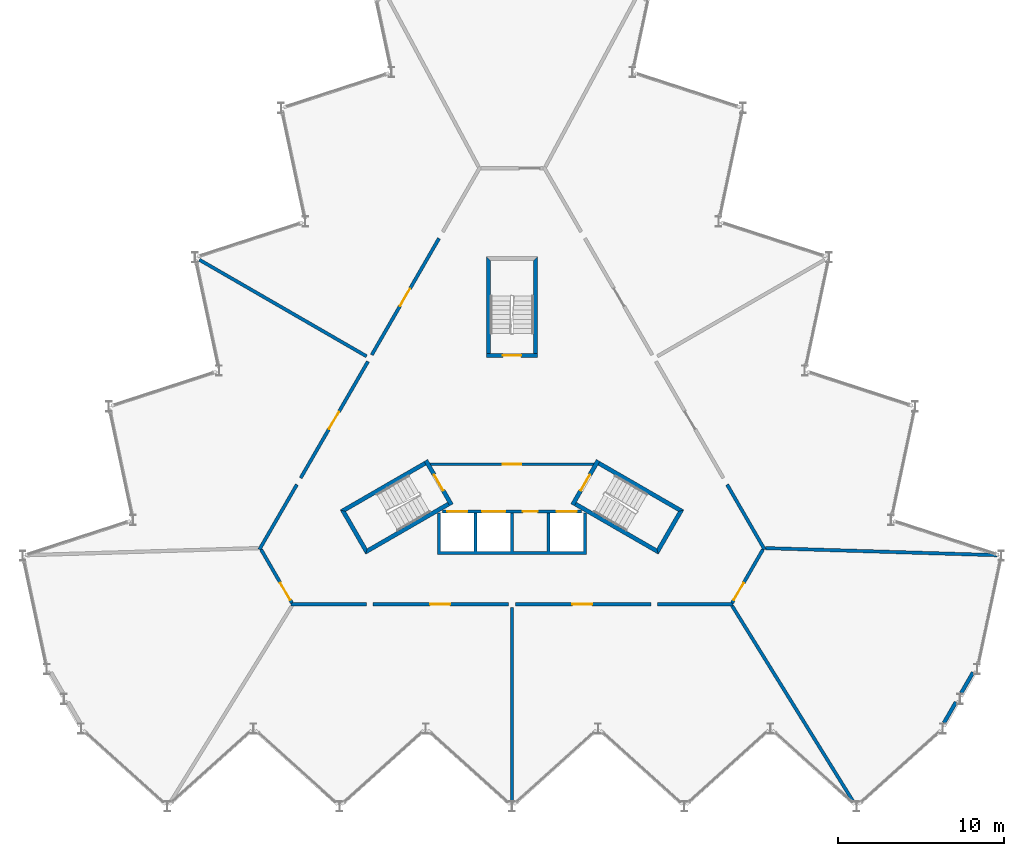
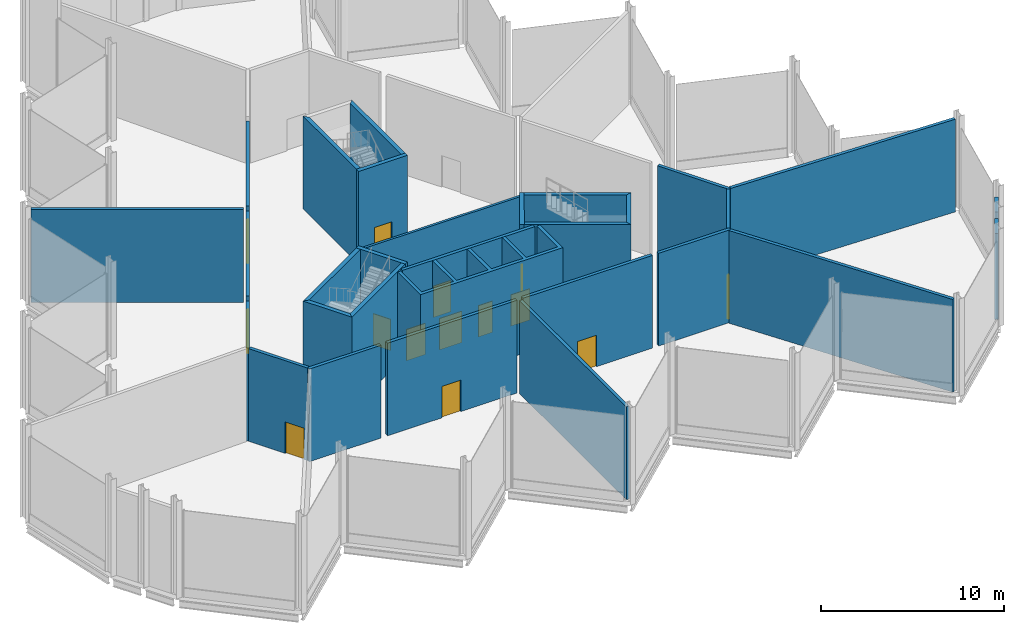
# One storey, part 10 of 12: 30 walls, 14 doors, 14 openings.
"""IFC4 building model written with IfcOpenShell, lengths in metres."""

from ifc_helpers import new_model, si_unit, direction, frame, frame_2d, origin, place, context, subcontext, project, spatial, polyline, rectangle, outline, extrude, material, layer, layer_set, type_object, element, fill, save


model = new_model("IFC4")

# Units and contexts
model_context = context("Model", 3, precision=1e-05, world=origin(), true_north=direction((0.0, 1.0)))
body_context = subcontext(model_context, "Body", "Model", "MODEL_VIEW")
ifc_project = project(units=[si_unit("LENGTHUNIT", "METRE"), si_unit("AREAUNIT", "SQUARE_METRE"), si_unit("VOLUMEUNIT", "CUBIC_METRE"), si_unit("PLANEANGLEUNIT", "RADIAN"), si_unit("MASSUNIT", "GRAM", prefix="KILO")], contexts=[model_context])

# Site, building, storey
site_placement = place(None, origin())
site = spatial("IfcSite", under=ifc_project, at=site_placement, CompositionType="ELEMENT")
building_placement = place(site_placement, origin())
building = spatial("IfcBuilding", under=site, at=building_placement, Name="Cormorant Prow Tower", CompositionType="ELEMENT")
storey_placement = place(building_placement, frame((0.0, 0.0, 428.199951171875)))
storey = spatial("IfcBuildingStorey", under=building, at=storey_placement, Name="L96", CompositionType="ELEMENT", Elevation=428.199951171875)

# Wall, opening, door
ifc_material_1 = material(Name="Gypsum board partition")
ifc_layer_1 = layer(ifc_material_1, 0.14990234375)
ifc_layer_set_1 = layer_set([ifc_layer_1], Name="Gypsum board partition")
wall_type_1 = type_object("IfcWallType", Name="Core partition 150", PredefinedType="PARTITIONING", material=ifc_layer_set_1)
wall_1_placement = place(storey_placement, frame((-4.941162109375, -1.449951171875, 0.0), z_axis=(0.0, 0.0, 1.0), x_axis=(1.0, 0.0, 0.0)))
wall_1 = element("IfcWall", 1, at=wall_1_placement, inside=storey, type_object=wall_type_1, Name="Firefighting lobby partition", PredefinedType="PARTITIONING", context=body_context, shape_type="SweptSolid", body=[
    extrude(rectangle(XDim=9.88232421875, YDim=0.14990234375, at=frame_2d((4.941162109375, 0.0))), origin(), (0.0, 0.0, 1.0), 6.199951171875),
])
opening_1_placement = place(wall_1_placement, frame((4.39111328125, 0.0, 0.0)))
opening_1 = element("IfcOpeningElement", 2, at=opening_1_placement, cuts=wall_1, Name="Opening L96-C05", PredefinedType="OPENING", context=body_context, shape_type="SweptSolid", body=[
    extrude(rectangle(XDim=1.10009765625, YDim=2.10009765625, at=frame_2d((0.550048828125, 1.050048828125))), frame((0.0, 0.0849609375, 0.0), z_axis=(0.0, -1.0, 0.0), x_axis=(1.0, 0.0, 0.0)), (0.0, 0.0, 1.0), 0.169921875),
])
ifc_material_2 = material(Name="Painted steel", Category="steel")
door_type_1 = type_object("IfcDoorType", Name="Firefighting lobby door 1100x2100", OperationType="NOTDEFINED", PredefinedType="DOOR", material=ifc_material_2)
door_1_placement = place(opening_1_placement, origin())
door_1 = element("IfcDoor", 3, at=door_1_placement, inside=storey, type_object=door_type_1, Name="Firefighting lobby door", OperationType="SINGLE_SWING_LEFT", OverallHeight=2.10009765625, OverallWidth=1.10009765625, PredefinedType="DOOR", context=body_context, shape_type="SweptSolid", body=[
    extrude(rectangle(XDim=1.10009765625, YDim=2.10009765625, at=frame_2d((0.550048828125, 1.050048828125))), frame((0.0, 0.02490234375, 0.0), z_axis=(0.0, -1.0, 0.0), x_axis=(1.0, 0.0, 0.0)), (0.0, 0.0, 1.0), 0.050048828125),
])
fill(opening_1, door_1)

ifc_material_3 = material(Name="Gypsum board corridor wall")
ifc_layer_2 = layer(ifc_material_3, 0.199951171875)
ifc_layer_set_2 = layer_set([ifc_layer_2], Name="Gypsum board corridor wall")
wall_type_2 = type_object("IfcWallType", Name="Corridor wall 200", PredefinedType="PARTITIONING", material=ifc_layer_set_2)
wall_2_placement = place(storey_placement, frame((-8.381591796875, -9.905517578125, 0.0), z_axis=(0.0, 0.0, 1.0), x_axis=(1.0, 0.0, 0.0)))
wall_2 = element("IfcWall", 4, at=wall_2_placement, inside=storey, type_object=wall_type_2, Name="Corridor wall", PredefinedType="PARTITIONING", context=body_context, shape_type="SweptSolid", body=[
    extrude(rectangle(XDim=8.1845703125, YDim=0.199951171875, at=frame_2d((4.09228515625, 0.0))), origin(), (0.0, 0.0, 1.0), 6.199951171875),
])
opening_2_placement = place(wall_2_placement, frame((3.441650390625, 0.0, 0.0)))
opening_2 = element("IfcOpeningElement", 5, at=opening_2_placement, cuts=wall_2, Name="Opening L96-F03", PredefinedType="OPENING", context=body_context, shape_type="SweptSolid", body=[
    extrude(rectangle(XDim=1.199951171875, YDim=2.10009765625, at=frame_2d((0.60009765625, 1.050048828125))), frame((0.0, 0.10986328125, 0.0), z_axis=(0.0, -1.0, 0.0), x_axis=(1.0, 0.0, 0.0)), (0.0, 0.0, 1.0), 0.219970703125),
])
ifc_material_4 = material(Name="Timber door leaf", Category="wood")
door_type_2 = type_object("IfcDoorType", Name="Plant room door 1200x2100", OperationType="NOTDEFINED", PredefinedType="DOOR", material=ifc_material_4)
door_2_placement = place(opening_2_placement, origin())
door_2 = element("IfcDoor", 6, at=door_2_placement, inside=storey, type_object=door_type_2, Name="Water tank room door", OperationType="SINGLE_SWING_RIGHT", OverallHeight=2.10009765625, OverallWidth=1.199951171875, PredefinedType="DOOR", context=body_context, shape_type="SweptSolid", body=[
    extrude(rectangle(XDim=1.199951171875, YDim=2.10009765625, at=frame_2d((0.60009765625, 1.050048828125))), frame((0.0, 0.02490234375, 0.0), z_axis=(0.0, -1.0, 0.0), x_axis=(1.0, 0.0, 0.0)), (0.0, 0.0, 1.0), 0.050048828125),
])
fill(opening_2, door_2)

wall_3_placement = place(storey_placement, frame((0.197021484375, -9.905517578125, 0.0), z_axis=(0.0, 0.0, 1.0), x_axis=(1.0, 0.0, 0.0)))
wall_3 = element("IfcWall", 7, at=wall_3_placement, inside=storey, type_object=wall_type_2, Name="Corridor wall", PredefinedType="PARTITIONING", context=body_context, shape_type="SweptSolid", body=[
    extrude(rectangle(XDim=8.1845703125, YDim=0.199951171875, at=frame_2d((4.09228515625, 0.0))), origin(), (0.0, 0.0, 1.0), 6.199951171875),
])
opening_3_placement = place(wall_3_placement, frame((3.441650390625, 0.0, 0.0)))
opening_3 = element("IfcOpeningElement", 8, at=opening_3_placement, cuts=wall_3, Name="Opening L96-F04", PredefinedType="OPENING", context=body_context, shape_type="SweptSolid", body=[
    extrude(rectangle(XDim=1.199951171875, YDim=2.10009765625, at=frame_2d((0.60009765625, 1.050048828125))), frame((0.0, 0.10986328125, 0.0), z_axis=(0.0, -1.0, 0.0), x_axis=(1.0, 0.0, 0.0)), (0.0, 0.0, 1.0), 0.219970703125),
])
door_3_placement = place(opening_3_placement, origin())
door_3 = element("IfcDoor", 9, at=door_3_placement, inside=storey, type_object=door_type_2, Name="Electrical switch room door", OperationType="SINGLE_SWING_LEFT", OverallHeight=2.10009765625, OverallWidth=1.199951171875, PredefinedType="DOOR", context=body_context, shape_type="SweptSolid", body=[
    extrude(rectangle(XDim=1.199951171875, YDim=2.10009765625, at=frame_2d((0.60009765625, 1.050048828125))), frame((0.0, 0.02490234375, 0.0), z_axis=(0.0, -1.0, 0.0), x_axis=(1.0, 0.0, 0.0)), (0.0, 0.0, 1.0), 0.050048828125),
])
fill(opening_3, door_3)

wall_4_placement = place(storey_placement, frame((-8.464599609375, 5.14990234375, 0.0), z_axis=(0.0, 0.0, 1.0), x_axis=(0.499992155518, 0.866029932751, 0.0)))
wall_4 = element("IfcWall", 10, at=wall_4_placement, inside=storey, type_object=wall_type_2, Name="Corridor wall", PredefinedType="PARTITIONING", context=body_context, shape_type="SweptSolid", body=[
    extrude(rectangle(XDim=8.123291015625, YDim=0.199951171875, at=frame_2d((4.0615234375, 0.0))), origin(), (0.0, 0.0, 1.0), 6.199951171875),
])
opening_4_placement = place(wall_4_placement, frame((3.41162109375, 0.0, 0.0)))
opening_4 = element("IfcOpeningElement", 11, at=opening_4_placement, cuts=wall_4, Name="Opening L96-F07", PredefinedType="OPENING", context=body_context, shape_type="SweptSolid", body=[
    extrude(rectangle(XDim=1.199951171875, YDim=2.10009765625, at=frame_2d((0.60009765625, 1.050048828125))), frame((0.0, 0.10986328125, 0.0), z_axis=(0.0, -1.0, 0.0), x_axis=(1.0, 0.0, 0.0)), (0.0, 0.0, 1.0), 0.219970703125),
])
door_4_placement = place(opening_4_placement, origin())
door_4 = element("IfcDoor", 12, at=door_4_placement, inside=storey, type_object=door_type_2, Name="Lift machine room door", OperationType="SINGLE_SWING_LEFT", OverallHeight=2.10009765625, OverallWidth=1.199951171875, PredefinedType="DOOR", context=body_context, shape_type="SweptSolid", body=[
    extrude(rectangle(XDim=1.199951171875, YDim=2.10009765625, at=frame_2d((0.60009765625, 1.050048828125))), frame((0.0, 0.02490234375, 0.0), z_axis=(0.0, -1.0, 0.0), x_axis=(1.0, 0.0, 0.0)), (0.0, 0.0, 1.0), 0.050048828125),
])
fill(opening_4, door_4)

wall_5_placement = place(storey_placement, frame((-12.75390625, -2.279296875, 0.0), z_axis=(0.0, 0.0, 1.0), x_axis=(0.500001682468, 0.866024432409, 0.0)))
wall_5 = element("IfcWall", 13, at=wall_5_placement, inside=storey, type_object=wall_type_2, Name="Corridor wall", PredefinedType="PARTITIONING", context=body_context, shape_type="SweptSolid", body=[
    extrude(rectangle(XDim=8.12353515625, YDim=0.199951171875, at=frame_2d((4.061767578125, 0.0))), origin(), (0.0, 0.0, 1.0), 6.199951171875),
])
opening_5_placement = place(wall_5_placement, frame((3.41162109375, 0.0, 0.0)))
opening_5 = element("IfcOpeningElement", 14, at=opening_5_placement, cuts=wall_5, Name="Opening L96-F05", PredefinedType="OPENING", context=body_context, shape_type="SweptSolid", body=[
    extrude(rectangle(XDim=1.199951171875, YDim=2.10009765625, at=frame_2d((0.60009765625, 1.050048828125))), frame((0.0, 0.10986328125, 0.0), z_axis=(0.0, -1.0, 0.0), x_axis=(1.0, 0.0, 0.0)), (0.0, 0.0, 1.0), 0.219970703125),
])
door_5_placement = place(opening_5_placement, origin())
door_5 = element("IfcDoor", 15, at=door_5_placement, inside=storey, type_object=door_type_2, Name="Air handling plant room door", OperationType="SINGLE_SWING_LEFT", OverallHeight=2.10009765625, OverallWidth=1.199951171875, PredefinedType="DOOR", context=body_context, shape_type="SweptSolid", body=[
    extrude(rectangle(XDim=1.199951171875, YDim=2.10009765625, at=frame_2d((0.60009765625, 1.050048828125))), frame((0.0, 0.02490234375, 0.0), z_axis=(0.0, -1.0, 0.0), x_axis=(1.0, 0.0, 0.0)), (0.0, 0.0, 1.0), 0.050048828125),
])
fill(opening_5, door_5)

# Walls
for number, where, z_axis, x_axis, name in (
    (16, (-13.330810546875, -9.905517578125, 0.0), (0.0, 0.0, 1.0), (1.0, 0.0, 0.0), "Corridor wall"),
    (17, (8.775390625, -9.905517578125, 0.0), (0.0, 0.0, 1.0), (1.0, 0.0, 0.0), "Corridor wall"),
):
    element("IfcWall", number, at=place(storey_placement, frame(where, z_axis=z_axis, x_axis=x_axis)), inside=storey, type_object=wall_type_2, Name=name, PredefinedType="PARTITIONING", context=body_context, shape_type="SweptSolid", body=[
        extrude(rectangle(XDim=4.555419921875, YDim=0.199951171875, at=frame_2d((2.27783203125, 0.0))), origin(), (0.0, 0.0, 1.0), 6.199951171875),
    ])
for number, where, z_axis, x_axis, name in (
    (18, (-15.243896484375, -6.59228515625, 0.0), (0.0, 0.0, 1.0), (0.499974648164, 0.866040040179, 0.0), "Corridor wall"),
    (19, (12.9814453125, -2.67333984375, 0.0), (0.0, 0.0, 1.0), (0.499974648164, -0.866040040179, 0.0), "Corridor wall"),
):
    element("IfcWall", number, at=place(storey_placement, frame(where, z_axis=z_axis, x_axis=x_axis)), inside=storey, type_object=wall_type_2, Name=name, PredefinedType="PARTITIONING", context=body_context, shape_type="SweptSolid", body=[
        extrude(rectangle(XDim=4.525146484375, YDim=0.199951171875, at=frame_2d((2.2626953125, 0.0))), origin(), (0.0, 0.0, 1.0), 6.199951171875),
    ])

# Wall, opening, door
wall_6_placement = place(storey_placement, frame((-15.143798828125, -6.59228515625, 0.0), z_axis=(0.0, 0.0, 1.0), x_axis=(0.499958791762, -0.866049194065, 0.0)))
wall_6 = element("IfcWall", 20, at=wall_6_placement, inside=storey, type_object=wall_type_2, Name="Corridor wall", PredefinedType="PARTITIONING", context=body_context, shape_type="SweptSolid", body=[
    extrude(rectangle(XDim=3.725830078125, YDim=0.199951171875, at=frame_2d((1.86279296875, 0.0))), origin(), (0.0, 0.0, 1.0), 6.199951171875),
])
opening_6_placement = place(wall_6_placement, frame((2.324951171875, 0.0, 0.0)))
opening_6 = element("IfcOpeningElement", 21, at=opening_6_placement, cuts=wall_6, Name="Opening L96-F01", PredefinedType="OPENING", context=body_context, shape_type="SweptSolid", body=[
    extrude(rectangle(XDim=1.199951171875, YDim=2.10009765625, at=frame_2d((0.60009765625, 1.050048828125))), frame((0.0, 0.10986328125, 0.0), z_axis=(0.0, -1.0, 0.0), x_axis=(1.0, 0.0, 0.0)), (0.0, 0.0, 1.0), 0.219970703125),
])
door_6_placement = place(opening_6_placement, origin())
door_6 = element("IfcDoor", 22, at=door_6_placement, inside=storey, type_object=door_type_2, Name="Damper plant room door", OperationType="SINGLE_SWING_RIGHT", OverallHeight=2.10009765625, OverallWidth=1.199951171875, PredefinedType="DOOR", context=body_context, shape_type="SweptSolid", body=[
    extrude(rectangle(XDim=1.199951171875, YDim=2.10009765625, at=frame_2d((0.60009765625, 1.050048828125))), frame((0.0, 0.02490234375, 0.0), z_axis=(0.0, -1.0, 0.0), x_axis=(1.0, 0.0, 0.0)), (0.0, 0.0, 1.0), 0.050048828125),
])
fill(opening_6, door_6)

wall_7_placement = place(storey_placement, frame((13.281005859375, -9.819091796875, 0.0), z_axis=(0.0, 0.0, 1.0), x_axis=(0.499958791762, 0.866049194065, 0.0)))
wall_7 = element("IfcWall", 23, at=wall_7_placement, inside=storey, type_object=wall_type_2, Name="Corridor wall", PredefinedType="PARTITIONING", context=body_context, shape_type="SweptSolid", body=[
    extrude(rectangle(XDim=3.725830078125, YDim=0.199951171875, at=frame_2d((1.86279296875, 0.0))), origin(), (0.0, 0.0, 1.0), 6.199951171875),
])
opening_7_placement = place(wall_7_placement, frame((0.201171875, 0.0, 0.0)))
opening_7 = element("IfcOpeningElement", 24, at=opening_7_placement, cuts=wall_7, Name="Opening L96-F02", PredefinedType="OPENING", context=body_context, shape_type="SweptSolid", body=[
    extrude(rectangle(XDim=1.199951171875, YDim=2.10009765625, at=frame_2d((0.60009765625, 1.050048828125))), frame((0.0, 0.10986328125, 0.0), z_axis=(0.0, -1.0, 0.0), x_axis=(1.0, 0.0, 0.0)), (0.0, 0.0, 1.0), 0.219970703125),
])
door_7_placement = place(opening_7_placement, origin())
door_7 = element("IfcDoor", 25, at=door_7_placement, inside=storey, type_object=door_type_2, Name="Lift machine room door", OperationType="SINGLE_SWING_LEFT", OverallHeight=2.10009765625, OverallWidth=1.199951171875, PredefinedType="DOOR", context=body_context, shape_type="SweptSolid", body=[
    extrude(rectangle(XDim=1.199951171875, YDim=2.10009765625, at=frame_2d((0.60009765625, 1.050048828125))), frame((0.0, 0.02490234375, 0.0), z_axis=(0.0, -1.0, 0.0), x_axis=(1.0, 0.0, 0.0)), (0.0, 0.0, 1.0), 0.050048828125),
])
fill(opening_7, door_7)

# Walls
ifc_material_5 = material(Name="Gypsum board demising wall")
ifc_layer_3 = layer(ifc_material_5, 0.199951171875)
ifc_layer_set_3 = layer_set([ifc_layer_3], Name="Gypsum board demising wall")
wall_type_3 = type_object("IfcWallType", Name="Demising wall 200", PredefinedType="PARTITIONING", material=ifc_layer_set_3)
wall_8_placement = place(storey_placement, frame((15.293701171875, -6.508544921875, 0.0), z_axis=(0.0, 0.0, 1.0), x_axis=(0.999534583604, -0.030506002359, 0.0)))
element("IfcWall", 26, at=wall_8_placement, inside=storey, type_object=wall_type_3, Name="Demising wall", PredefinedType="PARTITIONING", context=body_context, shape_type="SweptSolid", body=[
    extrude(rectangle(XDim=13.973388671875, YDim=0.199951171875, at=frame_2d((6.98681640625, 0.0))), origin(), (0.0, 0.0, 1.0), 6.199951171875),
])
wall_9_placement = place(storey_placement, frame((13.283447265625, -9.990478515625, 0.0), z_axis=(0.0, 0.0, 1.0), x_axis=(0.526187960676, -0.850368290825, 0.0)))
element("IfcWall", 27, at=wall_9_placement, inside=storey, type_object=wall_type_3, Name="Demising wall", PredefinedType="PARTITIONING", context=body_context, shape_type="SweptSolid", body=[
    extrude(rectangle(XDim=13.92041015625, YDim=0.199951171875, at=frame_2d((6.960205078125, 0.0))), origin(), (0.0, 0.0, 1.0), 6.199951171875),
])
wall_10_placement = place(storey_placement, frame((0.0, -21.827880859375, 0.0), z_axis=(0.0, 0.0, 1.0), x_axis=(0.0, 1.0, 0.0)))
element("IfcWall", 28, at=wall_10_placement, inside=storey, type_object=wall_type_3, Name="Demising wall", PredefinedType="PARTITIONING", context=body_context, shape_type="SweptSolid", body=[
    extrude(rectangle(XDim=11.725341796875, YDim=0.199951171875, at=frame_2d((5.86279296875, 0.0))), origin(), (0.0, 0.0, 1.0), 6.199951171875),
])
wall_11_placement = place(storey_placement, frame((-18.86865234375, 10.893798828125, 0.0), z_axis=(0.0, 0.0, 1.0), x_axis=(0.866023724155, -0.500002909193, 0.0)))
element("IfcWall", 29, at=wall_11_placement, inside=storey, type_object=wall_type_3, Name="Demising wall", PredefinedType="PARTITIONING", context=body_context, shape_type="SweptSolid", body=[
    extrude(rectangle(XDim=11.65478515625, YDim=0.199951171875, at=frame_2d((5.827392578125, 0.0))), origin(), (0.0, 0.0, 1.0), 6.199951171875),
])

# Wall, openings, doors
ifc_material_6 = material(Name="Concrete 5000 psi", Category="concrete")
ifc_layer_4 = layer(ifc_material_6, 0.199951171875)
ifc_layer_set_4 = layer_set([ifc_layer_4], Name="Concrete 5000 psi")
wall_type_4 = type_object("IfcWallType", Name="Lift lobby wall 200", PredefinedType="SOLIDWALL", material=ifc_layer_set_4)
wall_12_placement = place(storey_placement, frame((-4.1865234375, -4.300048828125, 0.0), z_axis=(0.0, 0.0, 1.0), x_axis=(1.0, 0.0, 0.0)))
wall_12 = element("IfcWall", 30, at=wall_12_placement, inside=storey, type_object=wall_type_4, Name="Lift lobby wall, S block", PredefinedType="SOLIDWALL", context=body_context, shape_type="SweptSolid", body=[
    extrude(rectangle(XDim=8.373046875, YDim=0.199951171875, at=frame_2d((4.1865234375, 0.0))), origin(), (0.0, 0.0, 1.0), 6.199951171875),
])
opening_8_placement = place(wall_12_placement, frame((0.28662109375, 0.0, 0.0)))
opening_8 = element("IfcOpeningElement", 31, at=opening_8_placement, cuts=wall_12, Name="Opening L96-C01", PredefinedType="OPENING", context=body_context, shape_type="SweptSolid", body=[
    extrude(rectangle(XDim=1.199951171875, YDim=2.10009765625, at=frame_2d((0.60009765625, 1.050048828125))), frame((0.0, 0.10986328125, 0.0), z_axis=(0.0, -1.0, 0.0), x_axis=(1.0, 0.0, 0.0)), (0.0, 0.0, 1.0), 0.219970703125),
])
opening_9_placement = place(wall_12_placement, frame((2.38671875, 0.0, 0.0)))
opening_9 = element("IfcOpeningElement", 32, at=opening_9_placement, cuts=wall_12, Name="Opening L96-C02", PredefinedType="OPENING", context=body_context, shape_type="SweptSolid", body=[
    extrude(rectangle(XDim=1.39990234375, YDim=2.10009765625, at=frame_2d((0.699951171875, 1.050048828125))), frame((0.0, 0.10986328125, 0.0), z_axis=(0.0, -1.0, 0.0), x_axis=(1.0, 0.0, 0.0)), (0.0, 0.0, 1.0), 0.219970703125),
])
opening_10_placement = place(wall_12_placement, frame((4.836669921875, 0.0, 0.0)))
opening_10 = element("IfcOpeningElement", 33, at=opening_10_placement, cuts=wall_12, Name="Opening L96-C03", PredefinedType="OPENING", context=body_context, shape_type="SweptSolid", body=[
    extrude(rectangle(XDim=0.89990234375, YDim=2.10009765625, at=frame_2d((0.449951171875, 1.050048828125))), frame((0.0, 0.10986328125, 0.0), z_axis=(0.0, -1.0, 0.0), x_axis=(1.0, 0.0, 0.0)), (0.0, 0.0, 1.0), 0.219970703125),
])
opening_11_placement = place(wall_12_placement, frame((6.88671875, 0.0, 0.0)))
opening_11 = element("IfcOpeningElement", 34, at=opening_11_placement, cuts=wall_12, Name="Opening L96-C04", PredefinedType="OPENING", context=body_context, shape_type="SweptSolid", body=[
    extrude(rectangle(XDim=1.199951171875, YDim=2.10009765625, at=frame_2d((0.60009765625, 1.050048828125))), frame((0.0, 0.10986328125, 0.0), z_axis=(0.0, -1.0, 0.0), x_axis=(1.0, 0.0, 0.0)), (0.0, 0.0, 1.0), 0.219970703125),
])
ifc_material_7 = material(Name="Painted steel", Category="steel")
door_type_3 = type_object("IfcDoorType", Name="Firefighting lift landing door 1200x2100", OperationType="SLIDING_TO_LEFT", PredefinedType="DOOR", material=ifc_material_7)
door_8_placement = place(opening_8_placement, origin())
door_8 = element("IfcDoor", 35, at=door_8_placement, inside=storey, type_object=door_type_3, Name="Landing door FL1", OperationType="SLIDING_TO_LEFT", OverallHeight=2.10009765625, OverallWidth=1.199951171875, PredefinedType="DOOR", context=body_context, shape_type="SweptSolid", body=[
    extrude(rectangle(XDim=1.199951171875, YDim=2.10009765625, at=frame_2d((0.60009765625, 1.050048828125))), frame((0.0, 0.02490234375, 0.0), z_axis=(0.0, -1.0, 0.0), x_axis=(1.0, 0.0, 0.0)), (0.0, 0.0, 1.0), 0.050048828125),
])
fill(opening_8, door_8)
door_9_placement = place(opening_11_placement, origin())
door_9 = element("IfcDoor", 36, at=door_9_placement, inside=storey, type_object=door_type_3, Name="Landing door FL2", OperationType="SLIDING_TO_LEFT", OverallHeight=2.10009765625, OverallWidth=1.199951171875, PredefinedType="DOOR", context=body_context, shape_type="SweptSolid", body=[
    extrude(rectangle(XDim=1.199951171875, YDim=2.10009765625, at=frame_2d((0.60009765625, 1.050048828125))), frame((0.0, 0.02490234375, 0.0), z_axis=(0.0, -1.0, 0.0), x_axis=(1.0, 0.0, 0.0)), (0.0, 0.0, 1.0), 0.050048828125),
])
fill(opening_11, door_9)
ifc_material_8 = material(Name="Painted steel", Category="steel")
door_type_4 = type_object("IfcDoorType", Name="Service door 900x2100", OperationType="NOTDEFINED", PredefinedType="DOOR", material=ifc_material_8)
door_10_placement = place(opening_10_placement, origin())
door_10 = element("IfcDoor", 37, at=door_10_placement, inside=storey, type_object=door_type_4, Name="Service door, Plant waste store", OperationType="SINGLE_SWING_RIGHT", OverallHeight=2.10009765625, OverallWidth=0.89990234375, PredefinedType="DOOR", context=body_context, shape_type="SweptSolid", body=[
    extrude(rectangle(XDim=0.89990234375, YDim=2.10009765625, at=frame_2d((0.449951171875, 1.050048828125))), frame((0.0, 0.02490234375, 0.0), z_axis=(0.0, -1.0, 0.0), x_axis=(1.0, 0.0, 0.0)), (0.0, 0.0, 1.0), 0.050048828125),
])
fill(opening_10, door_10)
ifc_material_9 = material(Name="Painted steel", Category="steel")
door_type_5 = type_object("IfcDoorType", Name="Service lift landing door 1400x2100", OperationType="SLIDING_TO_LEFT", PredefinedType="DOOR", material=ifc_material_9)
door_11_placement = place(opening_9_placement, origin())
door_11 = element("IfcDoor", 38, at=door_11_placement, inside=storey, type_object=door_type_5, Name="Landing door SL1", OperationType="SLIDING_TO_LEFT", OverallHeight=2.10009765625, OverallWidth=1.39990234375, PredefinedType="DOOR", context=body_context, shape_type="SweptSolid", body=[
    extrude(rectangle(XDim=1.39990234375, YDim=2.10009765625, at=frame_2d((0.699951171875, 1.050048828125))), frame((0.0, 0.02490234375, 0.0), z_axis=(0.0, -1.0, 0.0), x_axis=(1.0, 0.0, 0.0)), (0.0, 0.0, 1.0), 0.050048828125),
])
fill(opening_9, door_11)

# Walls
ifc_material_10 = material(Name="Concrete 8000 psi", Category="concrete")
ifc_layer_5 = layer(ifc_material_10, 0.199951171875)
ifc_layer_set_5 = layer_set([ifc_layer_5], Name="Concrete 8000 psi")
wall_type_5 = type_object("IfcWallType", Name="Lift shaft wall 200", PredefinedType="SHEAR", material=ifc_layer_set_5)
wall_13_placement = place(storey_placement, origin())
element("IfcWall", 39, at=wall_13_placement, inside=storey, type_object=wall_type_5, Name="Lift shaft walls, S block", PredefinedType="SHEAR", context=body_context, shape_type="SweptSolid", body=[
    extrude(outline(polyline([(4.5, -4.39990234375), (4.5, -6.906005859375), (-4.5, -6.906005859375), (-4.5, -4.39990234375), (-4.300048828125, -4.39990234375), (-4.300048828125, -6.699951171875), (-2.300048828125, -6.699951171875), (-2.300048828125, -4.39990234375), (-2.10009765625, -4.39990234375), (-2.10009765625, -6.699951171875), (-0.10009765625, -6.699951171875), (-0.10009765625, -4.39990234375), (0.10009765625, -4.39990234375), (0.10009765625, -6.699951171875), (2.10009765625, -6.699951171875), (2.10009765625, -4.39990234375), (2.300048828125, -4.39990234375), (2.300048828125, -6.699951171875), (4.300048828125, -6.699951171875), (4.300048828125, -4.39990234375), (4.5, -4.39990234375)])), origin(), (0.0, 0.0, 1.0), 6.199951171875),
])
ifc_material_11 = material(Name="Concrete 8000 psi", Category="concrete")
ifc_layer_6 = layer(ifc_material_11, 0.25)
ifc_layer_set_6 = layer_set([ifc_layer_6], Name="Concrete 8000 psi")
wall_type_6 = type_object("IfcWallType", Name="Stair wall 250", PredefinedType="SHEAR", material=ifc_layer_set_6)
wall_14_placement = place(storey_placement, origin())
element("IfcWall", 40, at=wall_14_placement, inside=storey, type_object=wall_type_6, Name="Stair ST1 enclosure wall (flank)", PredefinedType="SHEAR", context=body_context, shape_type="SweptSolid", body=[
    extrude(outline(polyline([(-5.30712890625, -1.28125), (-10.37353515625, -4.206298828125), (-10.031982421875, -4.2978515625), (-5.18212890625, -1.497802734375), (-5.30712890625, -1.28125)])), origin(), (0.0, 0.0, 1.0), 6.199951171875),
])
wall_15_placement = place(storey_placement, origin())
element("IfcWall", 41, at=wall_15_placement, inside=storey, type_object=wall_type_6, Name="Stair ST1 enclosure wall (end)", PredefinedType="SHEAR", context=body_context, shape_type="SweptSolid", body=[
    extrude(outline(polyline([(-10.37353515625, -4.206298828125), (-8.82958984375, -6.880615234375), (-8.738037109375, -6.5390625), (-10.031982421875, -4.2978515625), (-10.37353515625, -4.206298828125)])), origin(), (0.0, 0.0, 1.0), 6.199951171875),
])
wall_16_placement = place(storey_placement, origin())
element("IfcWall", 42, at=wall_16_placement, inside=storey, type_object=wall_type_6, Name="Stair ST1 enclosure wall (flank)", PredefinedType="SHEAR", context=body_context, shape_type="SweptSolid", body=[
    extrude(outline(polyline([(-8.738037109375, -6.5390625), (-8.82958984375, -6.880615234375), (-3.76318359375, -3.95556640625), (-3.88818359375, -3.739013671875), (-8.738037109375, -6.5390625)])), origin(), (0.0, 0.0, 1.0), 6.199951171875),
])

# Wall, opening, door
wall_17_placement = place(storey_placement, frame((-5.198974609375, -1.21875, 0.0), z_axis=(0.0, 0.0, 1.0), x_axis=(0.499982516597, -0.866035497597, 0.0)))
wall_17 = element("IfcWall", 43, at=wall_17_placement, inside=storey, type_object=wall_type_6, Name="Stair ST1 door wall", PredefinedType="SHEAR", context=body_context, shape_type="SweptSolid", body=[
    extrude(rectangle(XDim=3.087890625, YDim=0.25, at=frame_2d((1.5439453125, 0.0))), origin(), (0.0, 0.0, 1.0), 6.199951171875),
])
opening_12_placement = place(wall_17_placement, frame((0.993896484375, 0.0, 0.0)))
opening_12 = element("IfcOpeningElement", 44, at=opening_12_placement, cuts=wall_17, Name="Opening L96-C06", PredefinedType="OPENING", context=body_context, shape_type="SweptSolid", body=[
    extrude(rectangle(XDim=1.10009765625, YDim=2.10009765625, at=frame_2d((0.550048828125, 1.050048828125))), frame((0.0, 0.135009765625, 0.0), z_axis=(0.0, -1.0, 0.0), x_axis=(1.0, 0.0, 0.0)), (0.0, 0.0, 1.0), 0.27001953125),
])
ifc_material_12 = material(Name="Painted steel", Category="steel")
door_type_6 = type_object("IfcDoorType", Name="Stair door 1100x2100", OperationType="NOTDEFINED", PredefinedType="DOOR", material=ifc_material_12)
door_12_placement = place(opening_12_placement, origin())
door_12 = element("IfcDoor", 45, at=door_12_placement, inside=storey, type_object=door_type_6, Name="Stair ST1 door", OperationType="SINGLE_SWING_LEFT", OverallHeight=2.10009765625, OverallWidth=1.10009765625, PredefinedType="DOOR", context=body_context, shape_type="SweptSolid", body=[
    extrude(rectangle(XDim=1.10009765625, YDim=2.10009765625, at=frame_2d((0.550048828125, 1.050048828125))), frame((0.0, 0.02490234375, 0.0), z_axis=(0.0, -1.0, 0.0), x_axis=(1.0, 0.0, 0.0)), (0.0, 0.0, 1.0), 0.050048828125),
])
fill(opening_12, door_12)

# Walls
wall_18_placement = place(storey_placement, origin())
element("IfcWall", 46, at=wall_18_placement, inside=storey, type_object=wall_type_6, Name="Stair ST2 enclosure wall (flank)", PredefinedType="SHEAR", context=body_context, shape_type="SweptSolid", body=[
    extrude(outline(polyline([(3.76318359375, -3.95556640625), (8.82958984375, -6.880615234375), (8.738037109375, -6.5390625), (3.88818359375, -3.739013671875), (3.76318359375, -3.95556640625)])), origin(), (0.0, 0.0, 1.0), 6.199951171875),
])
wall_19_placement = place(storey_placement, origin())
element("IfcWall", 47, at=wall_19_placement, inside=storey, type_object=wall_type_6, Name="Stair ST2 enclosure wall (end)", PredefinedType="SHEAR", context=body_context, shape_type="SweptSolid", body=[
    extrude(outline(polyline([(8.82958984375, -6.880615234375), (10.37353515625, -4.206298828125), (10.031982421875, -4.2978515625), (8.738037109375, -6.5390625), (8.82958984375, -6.880615234375)])), origin(), (0.0, 0.0, 1.0), 6.199951171875),
])
wall_20_placement = place(storey_placement, origin())
element("IfcWall", 48, at=wall_20_placement, inside=storey, type_object=wall_type_6, Name="Stair ST2 enclosure wall (flank)", PredefinedType="SHEAR", context=body_context, shape_type="SweptSolid", body=[
    extrude(outline(polyline([(10.031982421875, -4.2978515625), (10.37353515625, -4.206298828125), (5.30712890625, -1.28125), (5.18212890625, -1.497802734375), (10.031982421875, -4.2978515625)])), origin(), (0.0, 0.0, 1.0), 6.199951171875),
])

# Wall, opening, door
wall_21_placement = place(storey_placement, frame((3.655029296875, -3.89306640625, 0.0), z_axis=(0.0, 0.0, 1.0), x_axis=(0.499982516597, 0.866035497597, 0.0)))
wall_21 = element("IfcWall", 49, at=wall_21_placement, inside=storey, type_object=wall_type_6, Name="Stair ST2 door wall", PredefinedType="SHEAR", context=body_context, shape_type="SweptSolid", body=[
    extrude(rectangle(XDim=3.087890625, YDim=0.25, at=frame_2d((1.5439453125, 0.0))), origin(), (0.0, 0.0, 1.0), 6.199951171875),
])
opening_13_placement = place(wall_21_placement, frame((0.993896484375, 0.0, 0.0)))
opening_13 = element("IfcOpeningElement", 50, at=opening_13_placement, cuts=wall_21, Name="Opening L96-C07", PredefinedType="OPENING", context=body_context, shape_type="SweptSolid", body=[
    extrude(rectangle(XDim=1.10009765625, YDim=2.10009765625, at=frame_2d((0.550048828125, 1.050048828125))), frame((0.0, 0.135009765625, 0.0), z_axis=(0.0, -1.0, 0.0), x_axis=(1.0, 0.0, 0.0)), (0.0, 0.0, 1.0), 0.27001953125),
])
door_13_placement = place(opening_13_placement, origin())
door_13 = element("IfcDoor", 51, at=door_13_placement, inside=storey, type_object=door_type_6, Name="Stair ST2 door", OperationType="SINGLE_SWING_RIGHT", OverallHeight=2.10009765625, OverallWidth=1.10009765625, PredefinedType="DOOR", context=body_context, shape_type="SweptSolid", body=[
    extrude(rectangle(XDim=1.10009765625, YDim=2.10009765625, at=frame_2d((0.550048828125, 1.050048828125))), frame((0.0, 0.02490234375, 0.0), z_axis=(0.0, -1.0, 0.0), x_axis=(1.0, 0.0, 0.0)), (0.0, 0.0, 1.0), 0.050048828125),
])
fill(opening_13, door_13)

# Walls
wall_22_placement = place(storey_placement, origin())
element("IfcWall", 52, at=wall_22_placement, inside=storey, type_object=wall_type_6, Name="Stair ST3 enclosure wall (flank)", PredefinedType="SHEAR", context=body_context, shape_type="SweptSolid", body=[
    extrude(outline(polyline([(1.5439453125, 5.23681640625), (1.5439453125, 11.0869140625), (1.2939453125, 10.8369140625), (1.2939453125, 5.23681640625), (1.5439453125, 5.23681640625)])), origin(), (0.0, 0.0, 1.0), 6.199951171875),
])
wall_23_placement = place(storey_placement, origin())
element("IfcWall", 53, at=wall_23_placement, inside=storey, type_object=wall_type_6, Name="Stair ST3 enclosure wall (flank)", PredefinedType="SHEAR", context=body_context, shape_type="SweptSolid", body=[
    extrude(outline(polyline([(-1.2939453125, 10.8369140625), (-1.5439453125, 11.0869140625), (-1.5439453125, 5.23681640625), (-1.2939453125, 5.23681640625), (-1.2939453125, 10.8369140625)])), origin(), (0.0, 0.0, 1.0), 6.199951171875),
])

# Wall, opening, door
wall_24_placement = place(storey_placement, frame((1.5439453125, 5.11181640625, 0.0), z_axis=(0.0, 0.0, 1.0), x_axis=(-1.0, 0.0, 0.0)))
wall_24 = element("IfcWall", 54, at=wall_24_placement, inside=storey, type_object=wall_type_6, Name="Stair ST3 door wall", PredefinedType="SHEAR", context=body_context, shape_type="SweptSolid", body=[
    extrude(rectangle(XDim=3.087890625, YDim=0.25, at=frame_2d((1.5439453125, 0.0))), origin(), (0.0, 0.0, 1.0), 6.199951171875),
])
opening_14_placement = place(wall_24_placement, frame((0.993896484375, 0.0, 0.0)))
opening_14 = element("IfcOpeningElement", 55, at=opening_14_placement, cuts=wall_24, Name="Opening L96-C08", PredefinedType="OPENING", context=body_context, shape_type="SweptSolid", body=[
    extrude(rectangle(XDim=1.10009765625, YDim=2.10009765625, at=frame_2d((0.550048828125, 1.050048828125))), frame((0.0, 0.135009765625, 0.0), z_axis=(0.0, -1.0, 0.0), x_axis=(1.0, 0.0, 0.0)), (0.0, 0.0, 1.0), 0.27001953125),
])
door_14_placement = place(opening_14_placement, origin())
door_14 = element("IfcDoor", 56, at=door_14_placement, inside=storey, type_object=door_type_6, Name="Stair ST3 door", OperationType="SINGLE_SWING_RIGHT", OverallHeight=2.10009765625, OverallWidth=1.10009765625, PredefinedType="DOOR", context=body_context, shape_type="SweptSolid", body=[
    extrude(rectangle(XDim=1.10009765625, YDim=2.10009765625, at=frame_2d((0.550048828125, 1.050048828125))), frame((0.0, 0.02490234375, 0.0), z_axis=(0.0, -1.0, 0.0), x_axis=(1.0, 0.0, 0.0)), (0.0, 0.0, 1.0), 0.050048828125),
])
fill(opening_14, door_14)

# Walls
ifc_material_13 = material(Name="Terracotta", Category="masonry")
ifc_layer_7 = layer(ifc_material_13, 0.22998046875)
ifc_layer_set_7 = layer_set([ifc_layer_7], Name="Terracotta")
wall_type_7 = type_object("IfcWallType", Name="Terracotta crown cladding wall 230", PredefinedType="SOLIDWALL", material=ifc_layer_set_7)
for number, where, z_axis, x_axis, name in (
    (57, (26.0732421875, -17.048828125, 0.0), (0.0, 0.0, 1.0), (0.500001025616, 0.866024811644, 0.0), "Terracotta crown wall ESE00"),
    (58, (27.110107421875, -15.2529296875, 0.0), (0.0, 0.0, 1.0), (0.500001025616, 0.866024811644, 0.0), "Terracotta crown wall ESE01"),
):
    element("IfcWall", number, at=place(storey_placement, frame(where, z_axis=z_axis, x_axis=x_axis)), inside=storey, type_object=wall_type_7, Name=name, PredefinedType="SOLIDWALL", context=body_context, shape_type="SweptSolid", body=[
        extrude(rectangle(XDim=1.44140625, YDim=0.22998046875, at=frame_2d((0.720703125, 0.0))), origin(), (0.0, 0.0, 1.0), 5.73388671875),
    ])

save(model, "model.ifc")
